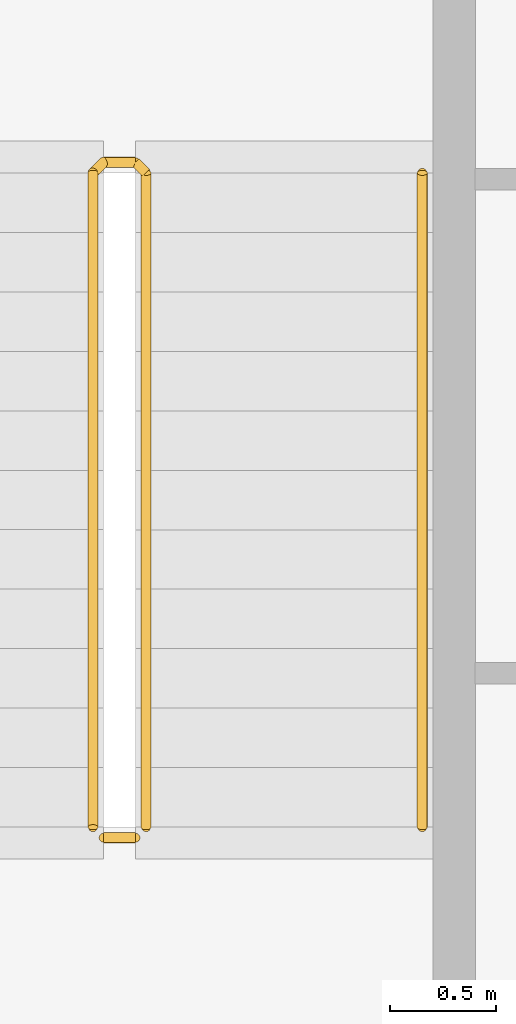
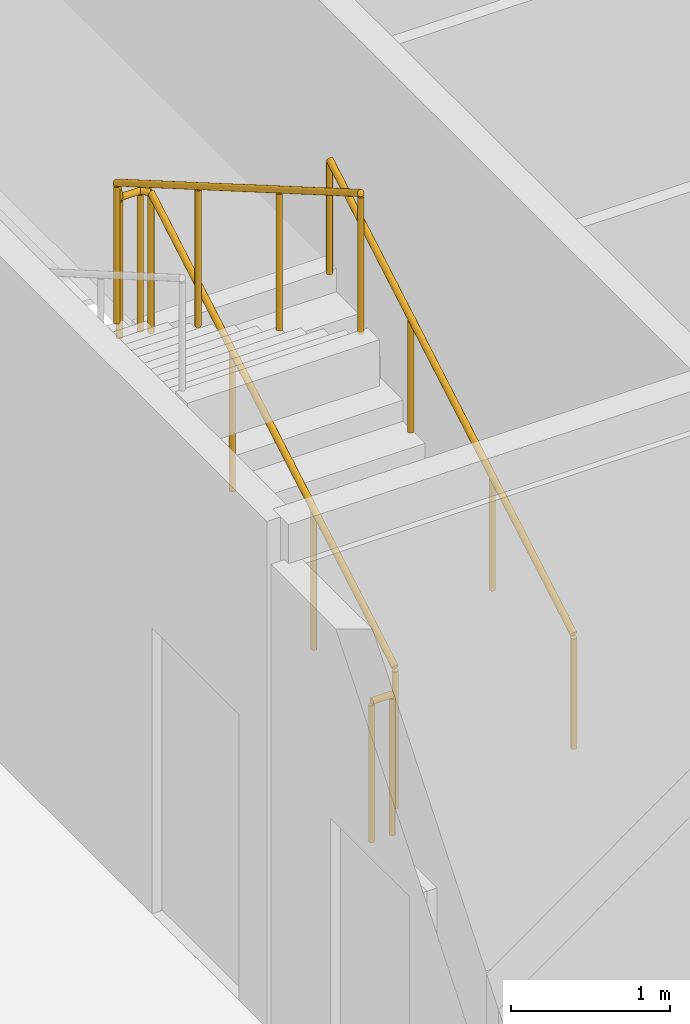
# One storey, part 20 of 21: 3 railings.
"""IFC4 building model written with IfcOpenShell, lengths in metres."""

from ifc_helpers import new_model, si_unit, direction, frame, origin, origin_2d, place, context, subcontext, project, spatial, circle, extrude, material, type_object, element, save


model = new_model("IFC4")

# Units and contexts
model_context = context("Model", 3, precision=1e-05, world=origin(), true_north=direction((0.0, 1.0)))
body_context = subcontext(model_context, "Body", "Model", "MODEL_VIEW")
ifc_project = project(units=[si_unit("LENGTHUNIT", "METRE"), si_unit("AREAUNIT", "SQUARE_METRE"), si_unit("VOLUMEUNIT", "CUBIC_METRE"), si_unit("PLANEANGLEUNIT", "RADIAN"), si_unit("MASSUNIT", "GRAM", prefix="KILO")], contexts=[model_context])

# Site, building, storey
site_placement = place(None, origin())
site = spatial("IfcSite", under=ifc_project, at=site_placement, CompositionType="ELEMENT")
building_placement = place(site_placement, origin())
building = spatial("IfcBuilding", under=site, at=building_placement, Name="Kheshtan School and Residences Tower", CompositionType="ELEMENT")
storey_placement = place(building_placement, frame((0.0, 0.0, 290.300048828125)))
storey = spatial("IfcBuildingStorey", under=building, at=storey_placement, Name="L68", CompositionType="ELEMENT", Elevation=290.300048828125)

# Railings
ifc_material_1 = material(Name="Stainless steel balustrade", Category="steel")
railing_type_1 = type_object("IfcRailingType", Name="Stair guard 1100", PredefinedType="GUARDRAIL", material=ifc_material_1)
railing_1_placement = place(storey_placement, frame((35.0, 80.89990234375, 0.162353515625)))
element("IfcRailing", 1, at=railing_1_placement, inside=storey, type_object=railing_type_1, Name="L68 ST3 stair guard 1", PredefinedType="GUARDRAIL", context=body_context, shape_type="SweptSolid", body=[
    extrude(circle(Radius=0.02392578125, at=origin_2d()), frame((0.0, 0.0, 1.076171875), z_axis=(0.0, 0.864890721111, 0.501960198159), x_axis=(-1.0, 0.0, 0.0)), (0.0, 0.0, 1.0), 3.561279296875),
    extrude(circle(Radius=0.02392578125, at=origin_2d()), frame((0.0, 3.080078125, 2.86376953125), z_axis=(-0.707106781187, 0.707106781187, 0.0), x_axis=(-0.707106781187, -0.707106781187, 0.0)), (0.0, 0.0, 1.0), 0.07080078125),
    extrude(circle(Radius=0.02392578125, at=origin_2d()), frame((-0.050048828125, 3.130126953125, 2.86376953125), z_axis=(-1.0, 0.0, 0.0), x_axis=(0.0, -1.0, 0.0)), (0.0, 0.0, 1.0), 0.14990234375),
    extrude(circle(Radius=0.02392578125, at=origin_2d()), frame((-0.199951171875, 3.130126953125, 2.86376953125), z_axis=(-0.282227285176, -0.282227285176, 0.916894497205), x_axis=(0.707106781187, -0.707106781187, 0.0)), (0.0, 0.0, 1.0), 0.17724609375),
    extrude(circle(Radius=0.02392578125, at=origin_2d()), frame((-0.25, 3.080078125, 3.0263671875), z_axis=(0.0, -0.864920483161, 0.501908913857), x_axis=(1.0, 0.0, 0.0)), (0.0, 0.0, 1.0), 3.56103515625),
    extrude(circle(Radius=0.02099609375, at=origin_2d()), origin(), (0.0, 0.0, 1.0), 1.052001953125),
    extrude(circle(Radius=0.02099609375, at=origin_2d()), frame((0.0, 1.026611328125, 0.595947265625)), (0.0, 0.0, 1.0), 1.052001953125),
    extrude(circle(Radius=0.02099609375, at=origin_2d()), frame((0.0, 2.053466796875, 1.191650390625)), (0.0, 0.0, 1.0), 1.052001953125),
    extrude(circle(Radius=0.02099609375, at=origin_2d()), frame((0.0, 3.080078125, 1.78759765625)), (0.0, 0.0, 1.0), 1.052001953125),
    extrude(circle(Radius=0.02099609375, at=origin_2d()), frame((-0.050048828125, 3.130126953125, 1.78759765625)), (0.0, 0.0, 1.0), 1.052001953125),
    extrude(circle(Radius=0.02099609375, at=origin_2d()), frame((-0.199951171875, 3.130126953125, 1.78759765625)), (0.0, 0.0, 1.0), 1.052001953125),
    extrude(circle(Radius=0.02099609375, at=origin_2d()), frame((-0.25, 3.080078125, 1.9501953125)), (0.0, 0.0, 1.0), 1.052001953125),
    extrude(circle(Radius=0.02099609375, at=origin_2d()), frame((-0.25, 2.053466796875, 2.5458984375)), (0.0, 0.0, 1.0), 1.052001953125),
    extrude(circle(Radius=0.02099609375, at=origin_2d()), frame((-0.25, 1.026611328125, 3.141845703125)), (0.0, 0.0, 1.0), 1.052001953125),
    extrude(circle(Radius=0.02099609375, at=origin_2d()), frame((-0.25, 0.0, 3.737548828125)), (0.0, 0.0, 1.0), 1.052001953125),
])
railing_2_placement = place(storey_placement, frame((34.949951171875, 80.85009765625, 0.0)))
element("IfcRailing", 2, at=railing_2_placement, inside=storey, type_object=railing_type_1, Name="L68 ST3 stair guard 2", PredefinedType="GUARDRAIL", context=body_context, shape_type="SweptSolid", body=[
    extrude(circle(Radius=0.02392578125, at=origin_2d()), frame((0.0, 0.0, 1.076171875), z_axis=(-1.0, 0.0, 0.0), x_axis=(0.0, -1.0, 0.0)), (0.0, 0.0, 1.0), 0.14990234375),
    extrude(circle(Radius=0.02099609375, at=origin_2d()), origin(), (0.0, 0.0, 1.0), 1.052001953125),
    extrude(circle(Radius=0.02099609375, at=origin_2d()), frame((-0.14990234375, 0.0, 0.0)), (0.0, 0.0, 1.0), 1.052001953125),
])
ifc_material_2 = material(Name="Stainless steel handrail", Category="steel")
railing_type_2 = type_object("IfcRailingType", Name="Stair handrail 900", PredefinedType="HANDRAIL", material=ifc_material_2)
railing_3_placement = place(storey_placement, frame((36.300048828125, 80.89990234375, 0.162353515625)))
element("IfcRailing", 3, at=railing_3_placement, inside=storey, type_object=railing_type_2, Name="L68 ST3 stair handrail 1", PredefinedType="HANDRAIL", context=body_context, shape_type="SweptSolid", body=[
    extrude(circle(Radius=0.02392578125, at=origin_2d()), frame((0.0, 0.0, 0.8759765625), z_axis=(0.0, 0.864890721111, 0.501960198159), x_axis=(-1.0, 0.0, 0.0)), (0.0, 0.0, 1.0), 3.561279296875),
    extrude(circle(Radius=0.02099609375, at=origin_2d()), origin(), (0.0, 0.0, 1.0), 0.851806640625),
    extrude(circle(Radius=0.02099609375, at=origin_2d()), frame((0.0, 1.026611328125, 0.595947265625)), (0.0, 0.0, 1.0), 0.851806640625),
    extrude(circle(Radius=0.02099609375, at=origin_2d()), frame((0.0, 2.053466796875, 1.191650390625)), (0.0, 0.0, 1.0), 0.851806640625),
    extrude(circle(Radius=0.02099609375, at=origin_2d()), frame((0.0, 3.080078125, 1.78759765625)), (0.0, 0.0, 1.0), 0.851806640625),
])

save(model, "model.ifc")
